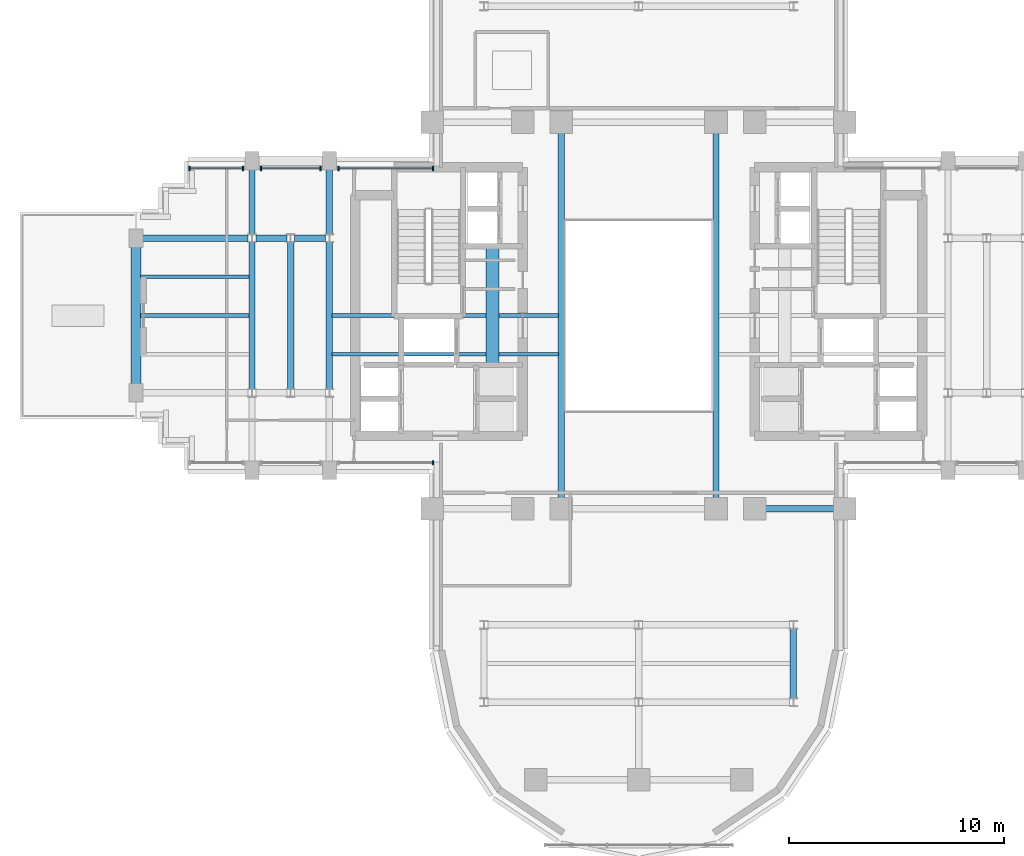
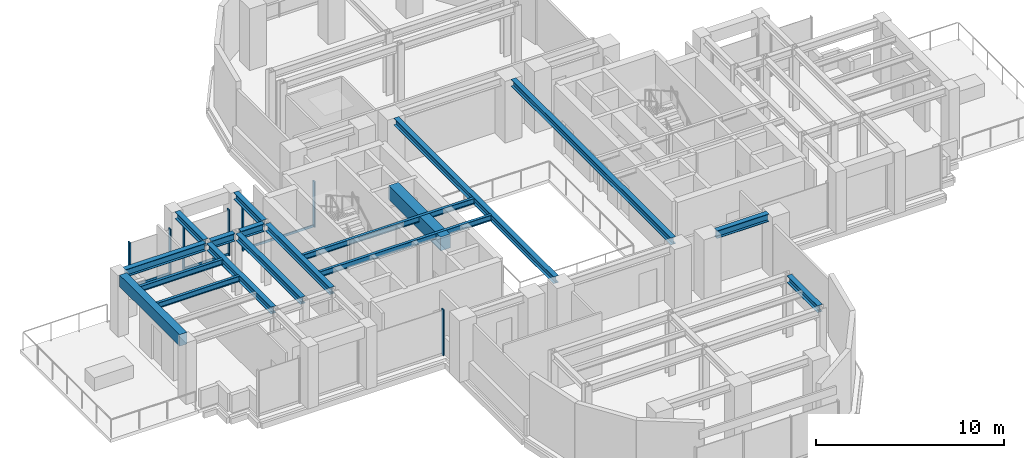
# One storey, part 4 of 16: 18 beams, 10 members, 4 elements without a shape of their own.
"""IFC4 building model written with IfcOpenShell, lengths in metres."""

import ifcopenshell
import ifcopenshell.guid

model = None  # the IFC model being written
_history = None  # IfcOwnerHistory: only IFC2X3 demands one
_inside = {}  # id of a spatial element -> (the spatial element, [elements in it])
_under = {}  # id of a project, library or spatial element -> (it, [spatial elements below it])
_declared = {}  # id of a project -> (the project, [libraries it declares])
_typed = {}  # id of a type object -> (the type object, [elements of that type])
_made_of = {}  # id of a material, layer set ... -> (it, [elements and type objects made of it])


def new_model(schema):
    """Start an empty IFC model of exactly this schema.

    Asked for "IFC4X3", IfcOpenShell would pick the latest addendum, in which some entities
    have other attributes; the version numbers below select the first issue.
    IFC2X3 requires an IfcOwnerHistory on every rooted entity: one is made here for all.
    """
    global model, _history
    if schema == "IFC4X3":
        model = ifcopenshell.file(schema_version=(4, 3, 0, 0))
    else:
        model = ifcopenshell.file(schema=schema)
    _inside.clear()
    _under.clear()
    _declared.clear()
    _typed.clear()
    _made_of.clear()
    _history = None
    if model.schema == "IFC2X3":
        org = make("IfcOrganization", Name="unknown")
        user = make(
            "IfcPersonAndOrganization",
            ThePerson=make("IfcPerson", FamilyName="unknown"),
            TheOrganization=org,
        )
        app = make(
            "IfcApplication",
            ApplicationDeveloper=org,
            Version="unknown",
            ApplicationFullName="unknown",
            ApplicationIdentifier="unknown",
        )
        _history = make(
            "IfcOwnerHistory",
            OwningUser=user,
            OwningApplication=app,
            ChangeAction="ADDED",
            CreationDate=0,
        )
    return model


def make(cls, **values):
    """One entity of the class cls with the attributes given. An attribute that is None is left unset."""
    return model.create_entity(
        cls, **{name: value for name, value in values.items() if value is not None}
    )


def rooted(cls, **values):
    """An entity with a GlobalId (a new one), such as an element, a storey or a relation."""
    return make(cls, GlobalId=ifcopenshell.guid.new(), OwnerHistory=_history, **values)


def si_unit(unit_type, name, prefix=None):
    """IfcSIUnit, for example si_unit("LENGTHUNIT", "METRE", prefix="MILLI")."""
    return make("IfcSIUnit", UnitType=unit_type, Prefix=prefix, Name=name)


def assignment(units):
    """IfcUnitAssignment: the units of a project."""
    return None if units is None else make("IfcUnitAssignment", Units=units)


def point(xyz):
    """IfcCartesianPoint."""
    return None if xyz is None else make("IfcCartesianPoint", Coordinates=xyz)


def direction(xyz):
    """IfcDirection."""
    return None if xyz is None else make("IfcDirection", DirectionRatios=xyz)


def frame(location, z_axis=None, x_axis=None):
    """IfcAxis2Placement3D, a coordinate frame: its origin and axes. An axis left out is left unset."""
    return make(
        "IfcAxis2Placement3D",
        Location=point(location),
        Axis=direction(z_axis),
        RefDirection=direction(x_axis),
    )


def frame_2d(location, x_axis=None):
    """IfcAxis2Placement2D, a coordinate frame in the plane: its origin and x axis."""
    return make(
        "IfcAxis2Placement2D", Location=point(location), RefDirection=direction(x_axis)
    )


def origin():
    """The frame at (0, 0, 0) with its axes left unset."""
    return frame((0.0, 0.0, 0.0))


def origin_2d():
    """The frame at (0, 0) in the plane with its x axis left unset."""
    return frame_2d((0.0, 0.0))


def place(relative_to, where):
    """IfcLocalPlacement: puts the frame where relative to a parent placement (None: the world)."""
    return make(
        "IfcLocalPlacement", PlacementRelTo=relative_to, RelativePlacement=where
    )


def context(
    kind, dimensions, precision=None, world=None, true_north=None, identifier=None
):
    """IfcGeometricRepresentationContext, for example the 3D "Model" context."""
    return make(
        "IfcGeometricRepresentationContext",
        ContextIdentifier=identifier,
        ContextType=kind,
        CoordinateSpaceDimension=dimensions,
        Precision=precision,
        WorldCoordinateSystem=world,
        TrueNorth=true_north,
    )


def subcontext(parent, identifier, kind, view, scale=None):
    """IfcGeometricRepresentationSubContext, for example "Body" below "Model"."""
    return make(
        "IfcGeometricRepresentationSubContext",
        ContextIdentifier=identifier,
        ContextType=kind,
        ParentContext=parent,
        TargetScale=scale,
        TargetView=view,
    )


def project(units=None, contexts=None):
    """IfcProject with its units and contexts."""
    return rooted(
        "IfcProject",
        Name="project",
        RepresentationContexts=contexts,
        UnitsInContext=assignment(units),
    )


def spatial(cls, under=None, at=None, **own):
    """A site, building, storey or space (cls), placed at a placement, below another one or the project."""
    s = rooted(cls, ObjectPlacement=at, **own)
    if under is not None:
        _under.setdefault(under.id(), (under, []))[1].append(s)
    return s


def profile(cls, at=None, kind="AREA", **sizes):
    """A parametric profile (cls). Its sizes go by their IFC names, for example OverallWidth=200.0."""
    return make(cls, ProfileType=kind, Position=at, **sizes)


def rectangle(**sizes):
    """IfcRectangleProfileDef."""
    return profile("IfcRectangleProfileDef", **sizes)


def i_section(**sizes):
    """IfcIShapeProfileDef."""
    return profile("IfcIShapeProfileDef", **sizes)


def extrude(swept, where, along, depth):
    """IfcExtrudedAreaSolid: the profile swept, set in the frame where, extruded along a direction by depth."""
    return make(
        "IfcExtrudedAreaSolid",
        SweptArea=swept,
        Position=where,
        ExtrudedDirection=direction(along),
        Depth=depth,
    )


def shape(context_of_items, identifier, shape_type, items):
    """IfcShapeRepresentation: the items that make up one representation, for example the "Body"."""
    return make(
        "IfcShapeRepresentation",
        ContextOfItems=context_of_items,
        RepresentationIdentifier=identifier,
        RepresentationType=shape_type,
        Items=items,
    )


def source(mapping_origin, context_of_items, identifier, shape_type, items):
    """IfcRepresentationMap: a shape defined once, which mapped items show again and again."""
    return make(
        "IfcRepresentationMap",
        MappingOrigin=mapping_origin,
        MappedRepresentation=shape(context_of_items, identifier, shape_type, items),
    )


def transform(
    local_origin,
    x_axis=None,
    y_axis=None,
    z_axis=None,
    scale=None,
    scale2=None,
    scale3=None,
    uniform=True,
):
    """IfcCartesianTransformationOperator3D, or its non-uniform kind. x_axis, y_axis, z_axis: its Axis1, 2, 3."""
    if uniform:
        return make(
            "IfcCartesianTransformationOperator3D",
            Axis1=direction(x_axis),
            Axis2=direction(y_axis),
            LocalOrigin=point(local_origin),
            Scale=scale,
            Axis3=direction(z_axis),
        )
    return make(
        "IfcCartesianTransformationOperator3DnonUniform",
        Axis1=direction(x_axis),
        Axis2=direction(y_axis),
        LocalOrigin=point(local_origin),
        Scale=scale,
        Axis3=direction(z_axis),
        Scale2=scale2,
        Scale3=scale3,
    )


def mapped(mapping_source, mapping_target):
    """IfcMappedItem: shows the shape of a source again, moved by a transform."""
    return make(
        "IfcMappedItem", MappingSource=mapping_source, MappingTarget=mapping_target
    )


def material(Name=None, Category=None):
    """IfcMaterial."""
    return make("IfcMaterial", Name=Name, Category=Category)


def material_profile(
    of_material, cross_section, Name=None, Category=None, Priority=None
):
    """IfcMaterialProfile: a cross section and its material."""
    return make(
        "IfcMaterialProfile",
        Name=Name,
        Material=of_material,
        Profile=cross_section,
        Priority=Priority,
        Category=Category,
    )


def profile_set(profiles, Name=None, composite=None):
    """IfcMaterialProfileSet."""
    return make(
        "IfcMaterialProfileSet",
        Name=Name,
        MaterialProfiles=profiles,
        CompositeProfile=composite,
    )


def made_of(thing, what):
    """Note that an element or type object is made of a material, layer set ...; save() writes the relation."""
    if what is not None:
        _made_of.setdefault(what.id(), (what, []))[1].append(thing)
    return thing


def type_object(cls, material=None, **own):
    """A type object (cls), such as IfcWallType, which elements share."""
    return made_of(rooted(cls, **own), material)


def element(
    cls,
    number,
    at=None,
    inside=None,
    cuts=None,
    type_object=None,
    material=None,
    context=None,
    identifier="Body",
    shape_type=None,
    held_by="IfcProductDefinitionShape",
    body=None,
    shapes=None,
    **own,
):
    """One element of the class cls, such as IfcWall. Its Tag is "e" and its number.

    at: its placement. inside: the storey or other place that contains it. cuts: it is an
    opening in that element (IfcRelVoidsElement). A single representation is given by context,
    identifier, shape_type and body (its items); several are given by shapes. held_by: the class
    of the entity that holds the representations. save() writes the other relations.
    """
    e = rooted(cls, Tag="e%d" % number, ObjectPlacement=at, **own)
    if body is not None:
        shapes = [shape(context, identifier, shape_type, body)]
    if shapes is not None:
        e.Representation = make(held_by, Representations=shapes)
    if inside is not None:
        _inside.setdefault(inside.id(), (inside, []))[1].append(e)
    if cuts is not None:
        rooted(
            "IfcRelVoidsElement", RelatingBuildingElement=cuts, RelatedOpeningElement=e
        )
    if type_object is not None:
        _typed.setdefault(type_object.id(), (type_object, []))[1].append(e)
    return made_of(e, material)


def aggregate(whole, parts):
    """IfcRelAggregates: a whole, such as a stair, and the parts it consists of."""
    return rooted("IfcRelAggregates", RelatingObject=whole, RelatedObjects=parts)


def save(model, path):
    """Write the relations noted so far, then the file.

    IfcRelAggregates (storeys below a building ...), IfcRelContainedInSpatialStructure (elements
    in a storey), IfcRelDefinesByType, IfcRelAssociatesMaterial and IfcRelDeclares: one each for
    every whole, place, type object, material and project.
    """
    for whole, parts in _under.values():
        aggregate(whole, parts)
    for where, things in _inside.values():
        rooted(
            "IfcRelContainedInSpatialStructure",
            RelatedElements=things,
            RelatingStructure=where,
        )
    for kind, things in _typed.values():
        rooted("IfcRelDefinesByType", RelatedObjects=things, RelatingType=kind)
    for what, things in _made_of.values():
        rooted("IfcRelAssociatesMaterial", RelatedObjects=things, RelatingMaterial=what)
    for by, libraries in _declared.values():
        rooted("IfcRelDeclares", RelatingContext=by, RelatedDefinitions=libraries)
    model.write(path)


model = new_model("IFC4")

# Units and contexts
model_context = context("Model", 3, precision=1e-05, world=origin(), true_north=direction((0.0, 1.0)))
body_context = subcontext(model_context, "Body", "Model", "MODEL_VIEW")
ifc_project = project(units=[si_unit("LENGTHUNIT", "METRE"), si_unit("AREAUNIT", "SQUARE_METRE"), si_unit("VOLUMEUNIT", "CUBIC_METRE"), si_unit("PLANEANGLEUNIT", "RADIAN"), si_unit("MASSUNIT", "GRAM", prefix="KILO")], contexts=[model_context])

# Site, building, storey
site_placement = place(None, origin())
site = spatial("IfcSite", under=ifc_project, at=site_placement, CompositionType="ELEMENT")
building_placement = place(site_placement, origin())
building = spatial("IfcBuilding", under=site, at=building_placement, Name="Keilestroom Media Tower", CompositionType="ELEMENT")
storey_placement = place(building_placement, frame((0.0, 0.0, 93.0)))
storey = spatial("IfcBuildingStorey", under=building, at=storey_placement, Name="L24", CompositionType="ELEMENT", Elevation=93.0)

# Beams
ifc_material_1 = material(Name="Concrete C70/85", Category="concrete")
ifc_material_profile_1 = material_profile(ifc_material_1, rectangle(XDim=0.60009765625, YDim=0.89990234375, at=origin_2d()), Name="RC 600x900")
ifc_profile_set_1 = profile_set([ifc_material_profile_1], Name="Concrete C70/85")
beam_type_1 = type_object("IfcBeamType", Name="Core-Coupling-Lintel-Beam-RC-600x900", PredefinedType="LINTEL", material=ifc_profile_set_1)
shared_shape_1 = source(origin(), body_context, "Body", "SweptSolid", [
    extrude(rectangle(XDim=0.60009765625, YDim=0.89990234375, at=origin_2d()), origin(), (0.0, 0.0, 1.0), 5.52001953125),
])
beam_1_placement = place(storey_placement, frame((-6.800048828125, -2.300048828125, 3.550048828125), z_axis=(0.0, 1.0, 0.0), x_axis=(-1.0, 0.0, 0.0)))
element("IfcBeam", 1, at=beam_1_placement, inside=storey, type_object=beam_type_1, Name="L24 Beam CLB-1 CLB-L24-W", PredefinedType="LINTEL", context=body_context, shape_type="MappedRepresentation", body=[
    mapped(shared_shape_1, transform((0.0, 0.0, 0.0), x_axis=(1.0, 0.0, 0.0), y_axis=(0.0, 1.0, 0.0), z_axis=(0.0, 0.0, 1.0), scale=1.0)),
])
ifc_material_2 = material(Name="Steel S355", Category="steel")
ifc_material_profile_2 = material_profile(ifc_material_2, i_section(OverallWidth=0.169921875, OverallDepth=0.360107421875, WebThickness=0.008056640625, FlangeThickness=0.0126953125, at=origin_2d()), Name="IPE 360")
ifc_profile_set_2 = profile_set([ifc_material_profile_2], Name="Steel S355")
beam_type_2 = type_object("IfcBeamType", Name="Secondary-Floor-Joist-IPE-360", PredefinedType="JOIST", material=ifc_profile_set_2)
shared_shape_2 = source(origin(), body_context, "Body", "SweptSolid", [
    extrude(i_section(OverallWidth=0.169921875, OverallDepth=0.360107421875, WebThickness=0.008056640625, FlangeThickness=0.0126953125, at=origin_2d()), origin(), (0.0, 0.0, 1.0), 10.5400390625),
])
for number, where, z_axis, x_axis, name in (
    (2, (-14.27001953125, -1.800048828125, 3.820068359375), (1.0, 0.0, 0.0), (0.0, 1.0, 0.0), "L24 Beam BJ-5 JST-L24-072"),
    (3, (-14.27001953125, 0.0, 3.820068359375), (1.0, 0.0, 0.0), (0.0, 1.0, 0.0), "L24 Beam BJ-5 JST-L24-077"),
):
    element("IfcBeam", number, at=place(storey_placement, frame(where, z_axis=z_axis, x_axis=x_axis)), inside=storey, type_object=beam_type_2, Name=name, PredefinedType="JOIST", context=body_context, shape_type="MappedRepresentation", body=[
        mapped(shared_shape_2, transform((0.0, 0.0, 0.0), x_axis=(1.0, 0.0, 0.0), y_axis=(0.0, 1.0, 0.0), z_axis=(0.0, 0.0, 1.0), scale=1.0)),
    ])
ifc_material_profile_3 = material_profile(ifc_material_2, i_section(OverallWidth=0.300048828125, OverallDepth=0.5, WebThickness=0.012451171875, FlangeThickness=0.028076171875, at=origin_2d()), Name="HEB 500")
ifc_profile_set_3 = profile_set([ifc_material_profile_3], Name="Steel S355")
beam_type_3 = type_object("IfcBeamType", Name="Primary-Structural-Girder-HEB-500", PredefinedType="BEAM", material=ifc_profile_set_3)
shared_shape_3 = source(origin(), body_context, "Body", "SweptSolid", [
    extrude(i_section(OverallWidth=0.300048828125, OverallDepth=0.5, WebThickness=0.012451171875, FlangeThickness=0.028076171875, at=origin_2d()), origin(), (0.0, 0.0, 1.0), 3.18994140625),
])
beam_2_placement = place(storey_placement, frame((5.905029296875, -9.0, 3.75), z_axis=(1.0, 0.0, 0.0), x_axis=(0.0, 1.0, 0.0)))
element("IfcBeam", 4, at=beam_2_placement, inside=storey, type_object=beam_type_3, Name="L24 Beam BG-6 BM-L24-EW-011", PredefinedType="BEAM", context=body_context, shape_type="MappedRepresentation", body=[
    mapped(shared_shape_3, transform((0.0, 0.0, 0.0), x_axis=(1.0, 0.0, 0.0), y_axis=(0.0, 1.0, 0.0), z_axis=(0.0, 0.0, 1.0), scale=1.0)),
])
shared_shape_4 = source(origin(), body_context, "Body", "SweptSolid", [
    extrude(i_section(OverallWidth=0.300048828125, OverallDepth=0.5, WebThickness=0.012451171875, FlangeThickness=0.028076171875, at=origin_2d()), origin(), (0.0, 0.0, 1.0), 4.91455078125),
])
beam_3_placement = place(storey_placement, frame((-23.094970703125, 3.60009765625, 3.75), z_axis=(1.0, 0.0, 0.0), x_axis=(0.0, 1.0, 0.0)))
element("IfcBeam", 5, at=beam_3_placement, inside=storey, type_object=beam_type_3, Name="L24 Beam BG-6 BM-L24-EW-020", PredefinedType="BEAM", context=body_context, shape_type="MappedRepresentation", body=[
    mapped(shared_shape_4, transform((0.0, 0.0, 0.0), x_axis=(1.0, 0.0, 0.0), y_axis=(0.0, 1.0, 0.0), z_axis=(0.0, 0.0, 1.0), scale=1.0)),
])
shared_shape_5 = source(origin(), body_context, "Body", "SweptSolid", [
    extrude(i_section(OverallWidth=0.300048828125, OverallDepth=0.5, WebThickness=0.012451171875, FlangeThickness=0.028076171875, at=origin_2d()), origin(), (0.0, 0.0, 1.0), 1.43896484375),
])
for number, where, z_axis, x_axis, name in (
    (6, (-17.819580078125, 3.60009765625, 3.75), (1.0, 0.0, 0.0), (0.0, 1.0, 0.0), "L24 Beam BG-6 BM-L24-EW-021"),
    (7, (-16.01953125, 3.60009765625, 3.75), (1.0, 0.0, 0.0), (0.0, 1.0, 0.0), "L24 Beam BG-6 BM-L24-EW-022"),
):
    element("IfcBeam", number, at=place(storey_placement, frame(where, z_axis=z_axis, x_axis=x_axis)), inside=storey, type_object=beam_type_3, Name=name, PredefinedType="BEAM", context=body_context, shape_type="MappedRepresentation", body=[
        mapped(shared_shape_5, transform((0.0, 0.0, 0.0), x_axis=(1.0, 0.0, 0.0), y_axis=(0.0, 1.0, 0.0), z_axis=(0.0, 0.0, 1.0), scale=1.0)),
    ])
ifc_material_3 = material(Name="Precast concrete C40/50", Category="concrete")
ifc_material_profile_4 = material_profile(ifc_material_3, rectangle(XDim=0.449951171875, YDim=0.75, at=origin_2d()), Name="PC 450x750")
ifc_profile_set_4 = profile_set([ifc_material_profile_4], Name="Precast concrete C40/50")
beam_type_4 = type_object("IfcBeamType", Name="Perimeter-Spandrel-Beam-PC-450x750", PredefinedType="SPANDREL", material=ifc_profile_set_4)
shared_shape_6 = source(origin(), body_context, "Body", "SweptSolid", [
    extrude(rectangle(XDim=0.449951171875, YDim=0.75, at=origin_2d()), origin(), (0.0, 0.0, 1.0), 6.39013671875),
])
beam_4_placement = place(storey_placement, frame((-23.39990234375, -3.195068359375, 3.625), z_axis=(0.0, 1.0, 0.0), x_axis=(-1.0, 0.0, 0.0)))
element("IfcBeam", 8, at=beam_4_placement, inside=storey, type_object=beam_type_4, Name="L24 Beam SPB-1 BM-L24-NS-039", PredefinedType="SPANDREL", context=body_context, shape_type="MappedRepresentation", body=[
    mapped(shared_shape_6, transform((0.0, 0.0, 0.0), x_axis=(1.0, 0.0, 0.0), y_axis=(0.0, 1.0, 0.0), z_axis=(0.0, 0.0, 1.0), scale=1.0)),
])
ifc_material_profile_5 = material_profile(ifc_material_2, i_section(OverallWidth=0.300048828125, OverallDepth=0.449951171875, WebThickness=0.011962890625, FlangeThickness=0.02587890625, at=origin_2d()), Name="HEB 450")
ifc_profile_set_5 = profile_set([ifc_material_profile_5], Name="Steel S355")
beam_type_5 = type_object("IfcBeamType", Name="Primary-Structural-Girder-HEB-450", PredefinedType="BEAM", material=ifc_profile_set_5)
shared_shape_7 = source(origin(), body_context, "Body", "SweptSolid", [
    extrude(i_section(OverallWidth=0.300048828125, OverallDepth=0.449951171875, WebThickness=0.011962890625, FlangeThickness=0.02587890625, at=origin_2d()), origin(), (0.0, 0.0, 1.0), 3.015380859375),
])
for number, where, z_axis, x_axis, name in (
    (9, (-18.0, 3.779541015625, 3.77490234375), (0.0, 1.0, 0.0), (-1.0, 0.0, 0.0), "L24 Beam BG-7 BM-L24-NS-042"),
    (10, (-14.39990234375, 3.779541015625, 3.77490234375), (0.0, 1.0, 0.0), (-1.0, 0.0, 0.0), "L24 Beam BG-7 BM-L24-NS-046"),
):
    element("IfcBeam", number, at=place(storey_placement, frame(where, z_axis=z_axis, x_axis=x_axis)), inside=storey, type_object=beam_type_5, Name=name, PredefinedType="BEAM", context=body_context, shape_type="MappedRepresentation", body=[
        mapped(shared_shape_7, transform((0.0, 0.0, 0.0), x_axis=(1.0, 0.0, 0.0), y_axis=(0.0, 1.0, 0.0), z_axis=(0.0, 0.0, 1.0), scale=1.0)),
    ])
shared_shape_8 = source(origin(), body_context, "Body", "SweptSolid", [
    extrude(i_section(OverallWidth=0.300048828125, OverallDepth=0.449951171875, WebThickness=0.011962890625, FlangeThickness=0.02587890625, at=origin_2d()), origin(), (0.0, 0.0, 1.0), 6.8408203125),
])
for number, where, z_axis, x_axis, name in (
    (11, (-18.0, -3.42041015625, 3.77490234375), (0.0, 1.0, 0.0), (-1.0, 0.0, 0.0), "L24 Beam BG-7 BM-L24-NS-041"),
    (12, (-16.199951171875, -3.42041015625, 3.77490234375), (0.0, 1.0, 0.0), (-1.0, 0.0, 0.0), "L24 Beam BG-7 BM-L24-NS-043"),
    (13, (-14.39990234375, -3.42041015625, 3.77490234375), (0.0, 1.0, 0.0), (-1.0, 0.0, 0.0), "L24 Beam BG-7 BM-L24-NS-045"),
):
    element("IfcBeam", number, at=place(storey_placement, frame(where, z_axis=z_axis, x_axis=x_axis)), inside=storey, type_object=beam_type_5, Name=name, PredefinedType="BEAM", context=body_context, shape_type="MappedRepresentation", body=[
        mapped(shared_shape_8, transform((0.0, 0.0, 0.0), x_axis=(1.0, 0.0, 0.0), y_axis=(0.0, 1.0, 0.0), z_axis=(0.0, 0.0, 1.0), scale=1.0)),
    ])
shared_shape_9 = source(origin(), body_context, "Body", "SweptSolid", [
    extrude(i_section(OverallWidth=0.300048828125, OverallDepth=0.449951171875, WebThickness=0.011962890625, FlangeThickness=0.02587890625, at=origin_2d()), origin(), (0.0, 0.0, 1.0), 3.240966796875),
])
beam_5_placement = place(storey_placement, frame((7.199951171875, -17.820556640625, 3.77490234375), z_axis=(0.0, 1.0, 0.0), x_axis=(-1.0, 0.0, 0.0)))
element("IfcBeam", 14, at=beam_5_placement, inside=storey, type_object=beam_type_5, Name="L24 Beam BG-7 BM-L24-NS-058", PredefinedType="BEAM", context=body_context, shape_type="MappedRepresentation", body=[
    mapped(shared_shape_9, transform((0.0, 0.0, 0.0), x_axis=(1.0, 0.0, 0.0), y_axis=(0.0, 1.0, 0.0), z_axis=(0.0, 0.0, 1.0), scale=1.0)),
])
shared_shape_10 = source(origin(), body_context, "Body", "SweptSolid", [
    extrude(i_section(OverallWidth=0.300048828125, OverallDepth=0.449951171875, WebThickness=0.011962890625, FlangeThickness=0.02587890625, at=origin_2d()), origin(), (0.0, 0.0, 1.0), 16.990234375),
])
for number, where, z_axis, x_axis, name in (
    (15, (-3.60009765625, -8.4951171875, 3.77490234375), (0.0, 1.0, 0.0), (-1.0, 0.0, 0.0), "L24 Beam BG-7 BM-L24-NS-051"),
    (16, (3.60009765625, -8.4951171875, 3.77490234375), (0.0, 1.0, 0.0), (-1.0, 0.0, 0.0), "L24 Beam BG-7 BM-L24-NS-056"),
):
    element("IfcBeam", number, at=place(storey_placement, frame(where, z_axis=z_axis, x_axis=x_axis)), inside=storey, type_object=beam_type_5, Name=name, PredefinedType="BEAM", context=body_context, shape_type="MappedRepresentation", body=[
        mapped(shared_shape_10, transform((0.0, 0.0, 0.0), x_axis=(1.0, 0.0, 0.0), y_axis=(0.0, 1.0, 0.0), z_axis=(0.0, 0.0, 1.0), scale=1.0)),
    ])
shared_shape_11 = source(origin(), body_context, "Body", "SweptSolid", [
    extrude(i_section(OverallWidth=0.169921875, OverallDepth=0.360107421875, WebThickness=0.008056640625, FlangeThickness=0.0126953125, at=origin_2d()), origin(), (0.0, 0.0, 1.0), 5.065185546875),
])
for number, where, z_axis, x_axis, name in (
    (17, (-23.195068359375, 0.0, 3.820068359375), (1.0, 0.0, 0.0), (0.0, 1.0, 0.0), "L24 Beam BJ-5 JST-L24-076"),
    (18, (-23.195068359375, 1.800048828125, 3.820068359375), (1.0, 0.0, 0.0), (0.0, 1.0, 0.0), "L24 Beam BJ-5 JST-L24-081"),
):
    element("IfcBeam", number, at=place(storey_placement, frame(where, z_axis=z_axis, x_axis=x_axis)), inside=storey, type_object=beam_type_2, Name=name, PredefinedType="JOIST", context=body_context, shape_type="MappedRepresentation", body=[
        mapped(shared_shape_11, transform((0.0, 0.0, 0.0), x_axis=(1.0, 0.0, 0.0), y_axis=(0.0, 1.0, 0.0), z_axis=(0.0, 0.0, 1.0), scale=1.0)),
    ])

# Curtain wall, members
ifc_material_4 = material(Name="Anodised Aluminium Alloy", Category="aluminium")
curtain_wall_type = type_object("IfcCurtainWallType", Name="Unitised-Curtain-Wall-CW-2", PredefinedType="NOTDEFINED", material=ifc_material_4)
curtain_wall_1_placement = place(storey_placement, origin())
curtain_wall_1 = element("IfcCurtainWall", 19, at=curtain_wall_1_placement, inside=storey, type_object=curtain_wall_type, Name="L24 Curtain Wall CW-2 CW-L24-NW-1", PredefinedType="NOTDEFINED")
ifc_material_profile_6 = material_profile(ifc_material_4, rectangle(XDim=0.070068359375, YDim=0.199951171875, at=origin_2d()), Name="ALU MULLION 70x200")
ifc_profile_set_6 = profile_set([ifc_material_profile_6], Name="Anodised Aluminium Alloy")
member_type_1 = type_object("IfcMemberType", Name="Curtain-Wall-Mullion-CW-2", PredefinedType="MULLION", material=ifc_profile_set_6)
shared_shape_12 = source(origin(), body_context, "Body", "SweptSolid", [
    extrude(rectangle(XDim=0.070068359375, YDim=0.199951171875, at=origin_2d()), origin(), (0.0, 0.0, 1.0), 2.97998046875),
])
member_1_placement = place(storey_placement, frame((-20.9150390625, 6.85009765625, 0.0), z_axis=(0.0, 0.0, 1.0), x_axis=(1.0, 0.0, 0.0)))
member_1 = element("IfcMember", 20, at=member_1_placement, type_object=member_type_1, Name="CW-2 Mullion 00", PredefinedType="MULLION", context=body_context, shape_type="MappedRepresentation", body=[
    mapped(shared_shape_12, transform((0.0, 0.0, 0.0), x_axis=(1.0, 0.0, 0.0), y_axis=(0.0, 1.0, 0.0), z_axis=(0.0, 0.0, 1.0), scale=1.0)),
])
member_2_placement = place(storey_placement, frame((-18.419921875, 6.85009765625, 0.0), z_axis=(0.0, 0.0, 1.0), x_axis=(1.0, 0.0, 0.0)))
member_2 = element("IfcMember", 21, at=member_2_placement, type_object=member_type_1, Name="CW-2 Mullion 01", PredefinedType="MULLION", context=body_context, shape_type="MappedRepresentation", body=[
    mapped(shared_shape_12, transform((0.0, 0.0, 0.0), x_axis=(1.0, 0.0, 0.0), y_axis=(0.0, 1.0, 0.0), z_axis=(0.0, 0.0, 1.0), scale=1.0)),
])

curtain_wall_2_placement = place(storey_placement, origin())
curtain_wall_2 = element("IfcCurtainWall", 22, at=curtain_wall_2_placement, inside=storey, type_object=curtain_wall_type, Name="L24 Curtain Wall CW-2 CW-L24-NW-2", PredefinedType="NOTDEFINED")
member_3_placement = place(storey_placement, frame((-17.580078125, 6.85009765625, 0.0), z_axis=(0.0, 0.0, 1.0), x_axis=(1.0, 0.0, 0.0)))
member_3 = element("IfcMember", 23, at=member_3_placement, type_object=member_type_1, Name="CW-2 Mullion 00", PredefinedType="MULLION", context=body_context, shape_type="MappedRepresentation", body=[
    mapped(shared_shape_12, transform((0.0, 0.0, 0.0), x_axis=(1.0, 0.0, 0.0), y_axis=(0.0, 1.0, 0.0), z_axis=(0.0, 0.0, 1.0), scale=1.0)),
])
member_4_placement = place(storey_placement, frame((-14.820068359375, 6.85009765625, 0.0), z_axis=(0.0, 0.0, 1.0), x_axis=(1.0, 0.0, 0.0)))
member_4 = element("IfcMember", 24, at=member_4_placement, type_object=member_type_1, Name="CW-2 Mullion 01", PredefinedType="MULLION", context=body_context, shape_type="MappedRepresentation", body=[
    mapped(shared_shape_12, transform((0.0, 0.0, 0.0), x_axis=(1.0, 0.0, 0.0), y_axis=(0.0, 1.0, 0.0), z_axis=(0.0, 0.0, 1.0), scale=1.0)),
])

curtain_wall_3_placement = place(storey_placement, origin())
curtain_wall_3 = element("IfcCurtainWall", 25, at=curtain_wall_3_placement, inside=storey, type_object=curtain_wall_type, Name="L24 Curtain Wall CW-2 CW-L24-NW-3", PredefinedType="NOTDEFINED")
member_5_placement = place(storey_placement, frame((-13.97998046875, 6.85009765625, 0.0), z_axis=(0.0, 0.0, 1.0), x_axis=(1.0, 0.0, 0.0)))
member_5 = element("IfcMember", 26, at=member_5_placement, type_object=member_type_1, Name="CW-2 Mullion 00", PredefinedType="MULLION", context=body_context, shape_type="MappedRepresentation", body=[
    mapped(shared_shape_12, transform((0.0, 0.0, 0.0), x_axis=(1.0, 0.0, 0.0), y_axis=(0.0, 1.0, 0.0), z_axis=(0.0, 0.0, 1.0), scale=1.0)),
])
member_6_placement = place(storey_placement, frame((-9.5849609375, 6.85009765625, 0.0), z_axis=(0.0, 0.0, 1.0), x_axis=(1.0, 0.0, 0.0)))
member_6 = element("IfcMember", 27, at=member_6_placement, type_object=member_type_1, Name="CW-2 Mullion 01", PredefinedType="MULLION", context=body_context, shape_type="MappedRepresentation", body=[
    mapped(shared_shape_12, transform((0.0, 0.0, 0.0), x_axis=(1.0, 0.0, 0.0), y_axis=(0.0, 1.0, 0.0), z_axis=(0.0, 0.0, 1.0), scale=1.0)),
])

# Curtain wall, member
curtain_wall_4_placement = place(storey_placement, origin())
curtain_wall_4 = element("IfcCurtainWall", 28, at=curtain_wall_4_placement, inside=storey, type_object=curtain_wall_type, Name="L24 Curtain Wall CW-2 CW-L24-SW-3", PredefinedType="NOTDEFINED")
member_7_placement = place(storey_placement, frame((-9.5849609375, -6.85009765625, 0.0), z_axis=(0.0, 0.0, 1.0), x_axis=(1.0, 0.0, 0.0)))
member_7 = element("IfcMember", 29, at=member_7_placement, type_object=member_type_1, Name="CW-2 Mullion 01", PredefinedType="MULLION", context=body_context, shape_type="MappedRepresentation", body=[
    mapped(shared_shape_12, transform((0.0, 0.0, 0.0), x_axis=(1.0, 0.0, 0.0), y_axis=(0.0, 1.0, 0.0), z_axis=(0.0, 0.0, 1.0), scale=1.0)),
])
aggregate(curtain_wall_4, [member_7])

# Member
ifc_material_profile_7 = material_profile(ifc_material_4, rectangle(XDim=0.06494140625, YDim=0.14990234375, at=origin_2d()), Name="ALU TRANSOM 65x150")
ifc_profile_set_7 = profile_set([ifc_material_profile_7], Name="Anodised Aluminium Alloy")
member_type_2 = type_object("IfcMemberType", Name="Curtain-Wall-Transom-CW-2", PredefinedType="USERDEFINED", material=ifc_profile_set_7)
shared_shape_13 = source(origin(), body_context, "Body", "SweptSolid", [
    extrude(rectangle(XDim=0.06494140625, YDim=0.14990234375, at=origin_2d()), origin(), (0.0, 0.0, 1.0), 2.42919921875),
])
member_8_placement = place(storey_placement, frame((-20.882080078125, 6.85009765625, 0.074951171875), z_axis=(1.0, 0.0, 0.0), x_axis=(0.0, 1.0, 0.0)))
member_8 = element("IfcMember", 30, at=member_8_placement, type_object=member_type_2, Name="CW-2 Transom 00.1", ObjectType="TRANSOM", PredefinedType="USERDEFINED", context=body_context, shape_type="MappedRepresentation", body=[
    mapped(shared_shape_13, transform((0.0, 0.0, 0.0), x_axis=(1.0, 0.0, 0.0), y_axis=(0.0, 1.0, 0.0), z_axis=(0.0, 0.0, 1.0), scale=1.0)),
])

aggregate(curtain_wall_1, [member_1, member_2, member_8])

shared_shape_14 = source(origin(), body_context, "Body", "SweptSolid", [
    extrude(rectangle(XDim=0.06494140625, YDim=0.14990234375, at=origin_2d()), origin(), (0.0, 0.0, 1.0), 2.694091796875),
])
member_9_placement = place(storey_placement, frame((-17.547119140625, 6.85009765625, 0.074951171875), z_axis=(1.0, 0.0, 0.0), x_axis=(0.0, 1.0, 0.0)))
member_9 = element("IfcMember", 31, at=member_9_placement, type_object=member_type_2, Name="CW-2 Transom 00.1", ObjectType="TRANSOM", PredefinedType="USERDEFINED", context=body_context, shape_type="MappedRepresentation", body=[
    mapped(shared_shape_14, transform((0.0, 0.0, 0.0), x_axis=(1.0, 0.0, 0.0), y_axis=(0.0, 1.0, 0.0), z_axis=(0.0, 0.0, 1.0), scale=1.0)),
])

aggregate(curtain_wall_2, [member_3, member_4, member_9])

shared_shape_15 = source(origin(), body_context, "Body", "SweptSolid", [
    extrude(rectangle(XDim=0.06494140625, YDim=0.14990234375, at=origin_2d()), origin(), (0.0, 0.0, 1.0), 4.3291015625),
])
member_10_placement = place(storey_placement, frame((-13.947021484375, 6.85009765625, 0.074951171875), z_axis=(1.0, 0.0, 0.0), x_axis=(0.0, 1.0, 0.0)))
member_10 = element("IfcMember", 32, at=member_10_placement, type_object=member_type_2, Name="CW-2 Transom 00.1", ObjectType="TRANSOM", PredefinedType="USERDEFINED", context=body_context, shape_type="MappedRepresentation", body=[
    mapped(shared_shape_15, transform((0.0, 0.0, 0.0), x_axis=(1.0, 0.0, 0.0), y_axis=(0.0, 1.0, 0.0), z_axis=(0.0, 0.0, 1.0), scale=1.0)),
])

aggregate(curtain_wall_3, [member_5, member_6, member_10])

save(model, "model.ifc")
